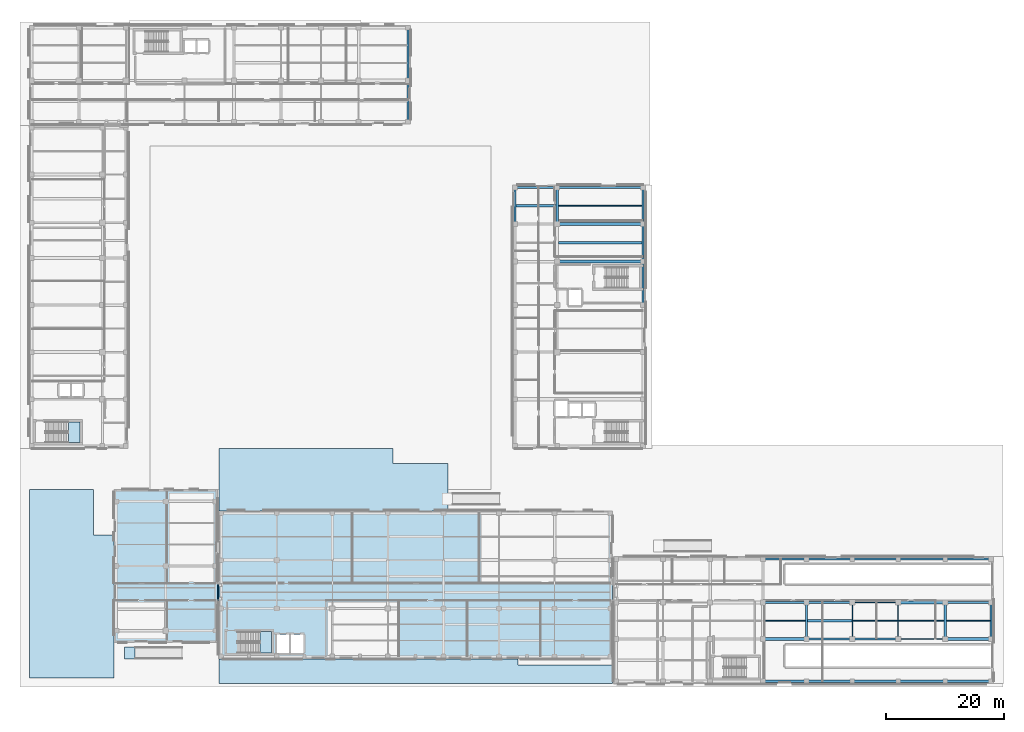
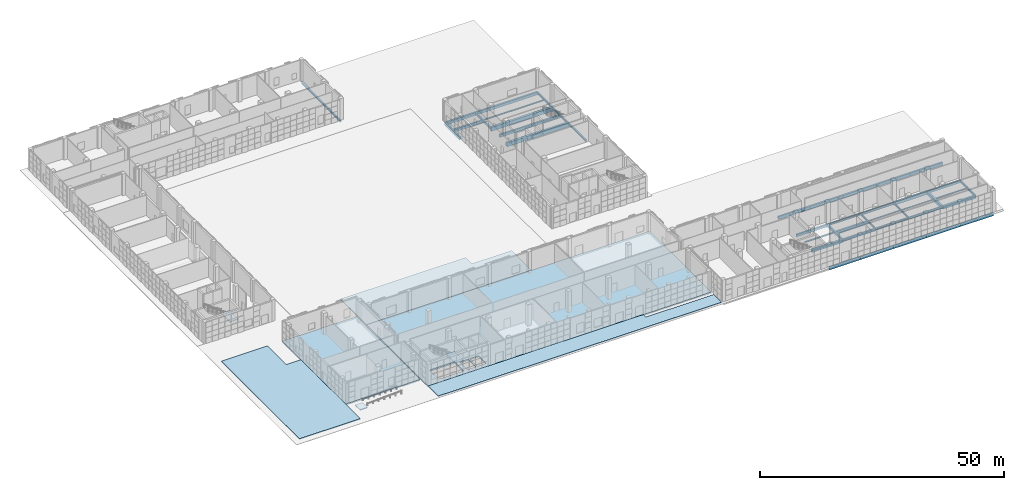
# One storey, part 6 of 40: 44 beams, 9 slabs, 3 elements without a shape of their own.
"""IFC4 building model written with IfcOpenShell, lengths in metres."""

from ifc_helpers import new_model, si_unit, direction, frame, origin, origin_2d, place, context, subcontext, project, spatial, polyline, rectangle, i_section, outline, extrude, material, layer, layer_set, material_profile, profile_set, type_object, element, aggregate, save


model = new_model("IFC4")

# Units and contexts
model_context = context("Model", 3, precision=1e-05, world=origin(), true_north=direction((0.0, 1.0)))
body_context = subcontext(model_context, "Body", "Model", "MODEL_VIEW")
ifc_project = project(units=[si_unit("LENGTHUNIT", "METRE"), si_unit("AREAUNIT", "SQUARE_METRE"), si_unit("VOLUMEUNIT", "CUBIC_METRE"), si_unit("PLANEANGLEUNIT", "RADIAN"), si_unit("MASSUNIT", "GRAM", prefix="KILO")], contexts=[model_context])

# Site, building, storey
site_placement = place(None, origin())
site = spatial("IfcSite", under=ifc_project, at=site_placement, CompositionType="ELEMENT")
building_placement = place(site_placement, origin())
building = spatial("IfcBuilding", under=site, at=building_placement, Name="Qalavern Law Courts", CompositionType="ELEMENT")
storey_placement = place(building_placement, origin())
storey = spatial("IfcBuildingStorey", under=building, at=storey_placement, Name="L00", CompositionType="ELEMENT", Elevation=0.0)

# Beams
ifc_material_1 = material(Name="Steel S355", Category="steel")
ifc_material_profile_1 = material_profile(ifc_material_1, i_section(OverallWidth=0.300048828125, OverallDepth=0.489990234375, WebThickness=0.011962890625, FlangeThickness=0.02294921875, FilletRadius=0.027099609375, at=origin_2d()), Name="HEA 500")
ifc_profile_set_1 = profile_set([ifc_material_profile_1], Name="Steel S355")
beam_type_1 = type_object("IfcBeamType", Name="STR-BM-HEA500", PredefinedType="BEAM", material=ifc_profile_set_1)
for number, where, z_axis, x_axis, name in (
    (1, (142.0, 8.60009765625, -0.5849609375), (1.0, 0.0, 0.0), (0.0, 1.0, 0.0), "V6 X-beam 2-6 L00"),
    (2, (134.199951171875, 14.800048828125, -0.5849609375), (1.0, 0.0, 0.0), (0.0, 1.0, 0.0), "V6 X-beam 3-5 L00"),
):
    element("IfcBeam", number, at=place(storey_placement, frame(where, z_axis=z_axis, x_axis=x_axis)), inside=storey, type_object=beam_type_1, Name=name, PredefinedType="BEAM", context=body_context, shape_type="SweptSolid", body=[
        extrude(i_section(OverallWidth=0.300048828125, OverallDepth=0.489990234375, WebThickness=0.011962890625, FlangeThickness=0.02294921875, FilletRadius=0.027099609375, at=origin_2d()), origin(), (0.0, 0.0, 1.0), 7.800048828125),
    ])
ifc_material_profile_2 = material_profile(ifc_material_1, i_section(OverallWidth=0.179931640625, OverallDepth=0.39990234375, WebThickness=0.008544921875, FlangeThickness=0.013427734375, FilletRadius=0.02099609375, at=origin_2d()), Name="IPE 400")
ifc_profile_set_2 = profile_set([ifc_material_profile_2], Name="Steel S355")
beam_type_2 = type_object("IfcBeamType", Name="STR-BM-IPE400", PredefinedType="BEAM", material=ifc_profile_set_2)
beam_1_placement = place(storey_placement, frame((149.800048828125, 8.60009765625, -0.5400390625), z_axis=(0.0, 1.0, 0.0), x_axis=(-1.0, 0.0, 0.0)))
element("IfcBeam", 3, at=beam_1_placement, inside=storey, type_object=beam_type_2, Name="V6 Y-beam 7-2 L00", PredefinedType="BEAM", context=body_context, shape_type="SweptSolid", body=[
    extrude(i_section(OverallWidth=0.179931640625, OverallDepth=0.39990234375, WebThickness=0.008544921875, FlangeThickness=0.013427734375, FilletRadius=0.02099609375, at=origin_2d()), origin(), (0.0, 0.0, 1.0), 6.199951171875),
])
ifc_material_profile_3 = material_profile(ifc_material_1, i_section(OverallWidth=0.199951171875, OverallDepth=0.5, WebThickness=0.01025390625, FlangeThickness=0.01611328125, FilletRadius=0.02099609375, at=origin_2d()), Name="IPE 500")
ifc_profile_set_3 = profile_set([ifc_material_profile_3], Name="Steel S355")
beam_type_3 = type_object("IfcBeamType", Name="STR-BM-IPE500", PredefinedType="BEAM", material=ifc_profile_set_3)
beam_2_placement = place(storey_placement, frame((142.0, 8.60009765625, -0.590087890625), z_axis=(0.0, 1.0, 0.0), x_axis=(-1.0, 0.0, 0.0)))
element("IfcBeam", 4, at=beam_2_placement, inside=storey, type_object=beam_type_3, Name="V6 Y-beam 6-2 L00", PredefinedType="BEAM", context=body_context, shape_type="SweptSolid", body=[
    extrude(i_section(OverallWidth=0.199951171875, OverallDepth=0.5, WebThickness=0.01025390625, FlangeThickness=0.01611328125, FilletRadius=0.02099609375, at=origin_2d()), origin(), (0.0, 0.0, 1.0), 6.199951171875),
])
ifc_material_profile_4 = material_profile(ifc_material_1, i_section(OverallWidth=0.219970703125, OverallDepth=0.60009765625, WebThickness=0.011962890625, FlangeThickness=0.01904296875, FilletRadius=0.02392578125, at=origin_2d()), Name="IPE 600")
ifc_profile_set_4 = profile_set([ifc_material_profile_4], Name="Steel S355")
beam_type_4 = type_object("IfcBeamType", Name="STR-BM-IPE600", PredefinedType="BEAM", material=ifc_profile_set_4)
beam_3_placement = place(storey_placement, frame((149.800048828125, 8.60009765625, -0.639892578125), z_axis=(1.0, 0.0, 0.0), x_axis=(0.0, 1.0, 0.0)))
element("IfcBeam", 5, at=beam_3_placement, inside=storey, type_object=beam_type_4, Name="V6 X-beam 2-7 L00", PredefinedType="BEAM", context=body_context, shape_type="SweptSolid", body=[
    extrude(i_section(OverallWidth=0.219970703125, OverallDepth=0.60009765625, WebThickness=0.011962890625, FlangeThickness=0.01904296875, FilletRadius=0.02392578125, at=origin_2d()), origin(), (0.0, 0.0, 1.0), 8.0),
])
beam_4_placement = place(storey_placement, frame((142.0, 14.800048828125, -0.639892578125), z_axis=(1.0, 0.0, 0.0), x_axis=(0.0, 1.0, 0.0)))
element("IfcBeam", 6, at=beam_4_placement, inside=storey, type_object=beam_type_4, Name="V6 X-beam 3-6 L00", PredefinedType="BEAM", context=body_context, shape_type="SweptSolid", body=[
    extrude(i_section(OverallWidth=0.219970703125, OverallDepth=0.60009765625, WebThickness=0.011962890625, FlangeThickness=0.01904296875, FilletRadius=0.02392578125, at=origin_2d()), origin(), (0.0, 0.0, 1.0), 7.800048828125),
])
ifc_material_2 = material(Name="Concrete C35/45", Category="concrete")
ifc_material_profile_5 = material_profile(ifc_material_2, rectangle(XDim=0.35009765625, YDim=0.550048828125, at=origin_2d()), Name="RC 350x550")
ifc_profile_set_5 = profile_set([ifc_material_profile_5], Name="Concrete C35/45")
beam_type_5 = type_object("IfcBeamType", Name="STR-BM-RC350x550", PredefinedType="BEAM", material=ifc_profile_set_5)
for number, where, z_axis, x_axis, name in (
    (7, (91.800048828125, 79.199951171875, -0.614990234375), (0.0, 1.0, 0.0), (-1.0, 0.0, 0.0), "V4 Y-beam 2-5 L00"),
    (8, (134.199951171875, 8.60009765625, -0.614990234375), (0.0, 1.0, 0.0), (-1.0, 0.0, 0.0), "V6 Y-beam 5-2 L00"),
):
    element("IfcBeam", number, at=place(storey_placement, frame(where, z_axis=z_axis, x_axis=x_axis)), inside=storey, type_object=beam_type_5, Name=name, PredefinedType="BEAM", context=body_context, shape_type="SweptSolid", body=[
        extrude(rectangle(XDim=0.35009765625, YDim=0.550048828125, at=origin_2d()), origin(), (0.0, 0.0, 1.0), 6.199951171875),
    ])
ifc_material_profile_6 = material_profile(ifc_material_2, rectangle(XDim=0.35009765625, YDim=0.60009765625, at=origin_2d()), Name="RC 350x600")
ifc_profile_set_6 = profile_set([ifc_material_profile_6], Name="Concrete C35/45")
beam_type_6 = type_object("IfcBeamType", Name="STR-BM-RC350x600", PredefinedType="BEAM", material=ifc_profile_set_6)
beam_5_placement = place(storey_placement, frame((134.199951171875, 8.60009765625, -0.639892578125), z_axis=(1.0, 0.0, 0.0), x_axis=(0.0, 1.0, 0.0)))
element("IfcBeam", 9, at=beam_5_placement, inside=storey, type_object=beam_type_6, Name="V6 X-beam 2-5 L00", PredefinedType="BEAM", context=body_context, shape_type="SweptSolid", body=[
    extrude(rectangle(XDim=0.35009765625, YDim=0.60009765625, at=origin_2d()), origin(), (0.0, 0.0, 1.0), 7.800048828125),
])
beam_6_placement = place(storey_placement, frame((126.800048828125, 14.800048828125, -0.639892578125), z_axis=(1.0, 0.0, 0.0), x_axis=(0.0, 1.0, 0.0)))
element("IfcBeam", 10, at=beam_6_placement, inside=storey, type_object=beam_type_6, Name="V6 X-beam 3-4 L00", PredefinedType="BEAM", context=body_context, shape_type="SweptSolid", body=[
    extrude(rectangle(XDim=0.35009765625, YDim=0.60009765625, at=origin_2d()), origin(), (0.0, 0.0, 1.0), 7.39990234375),
])
beam_7_placement = place(storey_placement, frame((157.800048828125, 14.800048828125, -0.639892578125), z_axis=(1.0, 0.0, 0.0), x_axis=(0.0, 1.0, 0.0)))
element("IfcBeam", 11, at=beam_7_placement, inside=storey, type_object=beam_type_6, Name="V6 X-beam 3-8 L00", PredefinedType="BEAM", context=body_context, shape_type="SweptSolid", body=[
    extrude(rectangle(XDim=0.35009765625, YDim=0.60009765625, at=origin_2d()), origin(), (0.0, 0.0, 1.0), 7.800048828125),
])
ifc_material_3 = material(Name="Concrete C40/50", Category="concrete")
ifc_material_profile_7 = material_profile(ifc_material_3, rectangle(XDim=0.449951171875, YDim=0.75, at=origin_2d()), Name="RC 450x750")
ifc_profile_set_7 = profile_set([ifc_material_profile_7], Name="Concrete C40/50")
beam_type_7 = type_object("IfcBeamType", Name="STR-BM-RC450x750", PredefinedType="BEAM", material=ifc_profile_set_7)
beam_8_placement = place(storey_placement, frame((126.800048828125, 8.60009765625, -0.715087890625), z_axis=(1.0, 0.0, 0.0), x_axis=(0.0, 1.0, 0.0)))
element("IfcBeam", 12, at=beam_8_placement, inside=storey, type_object=beam_type_7, Name="V6 X-beam 2-4 L00", PredefinedType="BEAM", context=body_context, shape_type="SweptSolid", body=[
    extrude(rectangle(XDim=0.449951171875, YDim=0.75, at=origin_2d()), origin(), (0.0, 0.0, 1.0), 7.39990234375),
])
beam_9_placement = place(storey_placement, frame((157.800048828125, 8.60009765625, -0.715087890625), z_axis=(1.0, 0.0, 0.0), x_axis=(0.0, 1.0, 0.0)))
element("IfcBeam", 13, at=beam_9_placement, inside=storey, type_object=beam_type_7, Name="V6 X-beam 2-8 L00", PredefinedType="BEAM", context=body_context, shape_type="SweptSolid", body=[
    extrude(rectangle(XDim=0.449951171875, YDim=0.75, at=origin_2d()), origin(), (0.0, 0.0, 1.0), 7.800048828125),
])
beam_10_placement = place(storey_placement, frame((149.800048828125, 14.800048828125, -0.715087890625), z_axis=(1.0, 0.0, 0.0), x_axis=(0.0, 1.0, 0.0)))
element("IfcBeam", 14, at=beam_10_placement, inside=storey, type_object=beam_type_7, Name="V6 X-beam 3-7 L00", PredefinedType="BEAM", context=body_context, shape_type="SweptSolid", body=[
    extrude(rectangle(XDim=0.449951171875, YDim=0.75, at=origin_2d()), origin(), (0.0, 0.0, 1.0), 8.0),
])
beam_11_placement = place(storey_placement, frame((157.800048828125, 8.60009765625, -0.715087890625), z_axis=(0.0, 1.0, 0.0), x_axis=(-1.0, 0.0, 0.0)))
element("IfcBeam", 15, at=beam_11_placement, inside=storey, type_object=beam_type_7, Name="V6 Y-beam 8-2 L00", PredefinedType="BEAM", context=body_context, shape_type="SweptSolid", body=[
    extrude(rectangle(XDim=0.449951171875, YDim=0.75, at=origin_2d()), origin(), (0.0, 0.0, 1.0), 6.199951171875),
])
ifc_material_profile_8 = material_profile(ifc_material_3, rectangle(XDim=0.550048828125, YDim=0.949951171875, at=origin_2d()), Name="RC 550x950")
ifc_profile_set_8 = profile_set([ifc_material_profile_8], Name="Concrete C40/50")
beam_type_8 = type_object("IfcBeamType", Name="STR-BM-RC550x950", PredefinedType="BEAM", material=ifc_profile_set_8)
for number, where, z_axis, x_axis, name in (
    (16, (91.800048828125, 72.800048828125, -0.81494140625), (1.0, 0.0, 0.0), (0.0, 1.0, 0.0), "V4 X-beam 5-2 L00"),
    (17, (91.800048828125, 79.199951171875, -0.81494140625), (1.0, 0.0, 0.0), (0.0, 1.0, 0.0), "V4 X-beam 6-2 L00"),
):
    element("IfcBeam", number, at=place(storey_placement, frame(where, z_axis=z_axis, x_axis=x_axis)), inside=storey, type_object=beam_type_8, Name=name, PredefinedType="BEAM", context=body_context, shape_type="SweptSolid", body=[
        extrude(rectangle(XDim=0.550048828125, YDim=0.949951171875, at=origin_2d()), origin(), (0.0, 0.0, 1.0), 14.599853515625),
    ])
ifc_material_profile_9 = material_profile(ifc_material_1, i_section(OverallWidth=0.135009765625, OverallDepth=0.27001953125, WebThickness=0.006591796875, FlangeThickness=0.01025390625, FilletRadius=0.014892578125, at=origin_2d()), Name="IPE 270")
ifc_profile_set_9 = profile_set([ifc_material_profile_9], Name="Steel S355")
beam_type_9 = type_object("IfcBeamType", Name="STR-JST-IPE270", PredefinedType="JOIST", material=ifc_profile_set_9)
beam_12_placement = place(storey_placement, frame((158.02294921875, 11.699951171875, -0.47509765625), z_axis=(1.0, 0.0, 0.0), x_axis=(0.0, 1.0, 0.0)))
element("IfcBeam", 18, at=beam_12_placement, inside=storey, type_object=beam_type_9, Name="V6 secondary joist 8.2.1 L00", PredefinedType="JOIST", context=body_context, shape_type="SweptSolid", body=[
    extrude(i_section(OverallWidth=0.135009765625, OverallDepth=0.27001953125, WebThickness=0.006591796875, FlangeThickness=0.01025390625, FilletRadius=0.014892578125, at=origin_2d()), origin(), (0.0, 0.0, 1.0), 7.428955078125),
])
ifc_material_profile_10 = material_profile(ifc_material_1, i_section(OverallWidth=0.14990234375, OverallDepth=0.300048828125, WebThickness=0.007080078125, FlangeThickness=0.0107421875, FilletRadius=0.014892578125, at=origin_2d()), Name="IPE 300")
ifc_profile_set_10 = profile_set([ifc_material_profile_10], Name="Steel S355")
beam_type_10 = type_object("IfcBeamType", Name="STR-JST-IPE300", PredefinedType="JOIST", material=ifc_profile_set_10)
beam_13_placement = place(storey_placement, frame((149.887939453125, 11.699951171875, -0.489990234375), z_axis=(1.0, 0.0, 0.0), x_axis=(0.0, 1.0, 0.0)))
element("IfcBeam", 19, at=beam_13_placement, inside=storey, type_object=beam_type_10, Name="V6 secondary joist 7.2.1 L00", PredefinedType="JOIST", context=body_context, shape_type="SweptSolid", body=[
    extrude(i_section(OverallWidth=0.14990234375, OverallDepth=0.300048828125, WebThickness=0.007080078125, FlangeThickness=0.0107421875, FilletRadius=0.014892578125, at=origin_2d()), origin(), (0.0, 0.0, 1.0), 7.68896484375),
])
ifc_material_profile_11 = material_profile(ifc_material_1, i_section(OverallWidth=0.159912109375, OverallDepth=0.330078125, WebThickness=0.007568359375, FlangeThickness=0.011474609375, FilletRadius=0.01806640625, at=origin_2d()), Name="IPE 330")
ifc_profile_set_11 = profile_set([ifc_material_profile_11], Name="Steel S355")
beam_type_11 = type_object("IfcBeamType", Name="STR-JST-IPE330", PredefinedType="JOIST", material=ifc_profile_set_11)
beam_14_placement = place(storey_placement, frame((91.972900390625, 82.300048828125, -0.5048828125), z_axis=(1.0, 0.0, 0.0), x_axis=(0.0, 1.0, 0.0)))
element("IfcBeam", 20, at=beam_14_placement, inside=storey, type_object=beam_type_11, Name="V4 secondary joist 2.6.1 L00", PredefinedType="JOIST", context=body_context, shape_type="SweptSolid", body=[
    extrude(i_section(OverallWidth=0.159912109375, OverallDepth=0.330078125, WebThickness=0.007568359375, FlangeThickness=0.011474609375, FilletRadius=0.01806640625, at=origin_2d()), origin(), (0.0, 0.0, 1.0), 14.279052734375),
])
beam_15_placement = place(storey_placement, frame((142.097900390625, 11.699951171875, -0.5048828125), z_axis=(1.0, 0.0, 0.0), x_axis=(0.0, 1.0, 0.0)))
element("IfcBeam", 21, at=beam_15_placement, inside=storey, type_object=beam_type_11, Name="V6 secondary joist 6.2.1 L00", PredefinedType="JOIST", context=body_context, shape_type="SweptSolid", body=[
    extrude(i_section(OverallWidth=0.159912109375, OverallDepth=0.330078125, WebThickness=0.007568359375, FlangeThickness=0.011474609375, FilletRadius=0.01806640625, at=origin_2d()), origin(), (0.0, 0.0, 1.0), 7.614013671875),
])
ifc_material_profile_12 = material_profile(ifc_material_1, i_section(OverallWidth=0.169921875, OverallDepth=0.360107421875, WebThickness=0.008056640625, FlangeThickness=0.0126953125, FilletRadius=0.01806640625, at=origin_2d()), Name="IPE 360")
ifc_profile_set_12 = profile_set([ifc_material_profile_12], Name="Steel S355")
beam_type_12 = type_object("IfcBeamType", Name="STR-JST-IPE360", PredefinedType="JOIST", material=ifc_profile_set_12)
beam_16_placement = place(storey_placement, frame((127.02294921875, 11.699951171875, -0.52001953125), z_axis=(1.0, 0.0, 0.0), x_axis=(0.0, 1.0, 0.0)))
element("IfcBeam", 22, at=beam_16_placement, inside=storey, type_object=beam_type_12, Name="V6 secondary joist 4.2.1 L00", PredefinedType="JOIST", context=body_context, shape_type="SweptSolid", body=[
    extrude(i_section(OverallWidth=0.169921875, OverallDepth=0.360107421875, WebThickness=0.008056640625, FlangeThickness=0.0126953125, FilletRadius=0.01806640625, at=origin_2d()), origin(), (0.0, 0.0, 1.0), 7.004150390625),
])
ifc_material_profile_13 = material_profile(ifc_material_2, rectangle(XDim=0.39990234375, YDim=0.64990234375, at=origin_2d()), Name="RC 400x650")
ifc_profile_set_13 = profile_set([ifc_material_profile_13], Name="Concrete C35/45")
beam_type_13 = type_object("IfcBeamType", Name="STR-JST-RC400x650", PredefinedType="JOIST", material=ifc_profile_set_13)
beam_17_placement = place(storey_placement, frame((84.798095703125, 82.300048828125, -0.6650390625), z_axis=(1.0, 0.0, 0.0), x_axis=(0.0, 1.0, 0.0)))
element("IfcBeam", 23, at=beam_17_placement, inside=storey, type_object=beam_type_13, Name="V4 secondary joist 1.6.1 L00", PredefinedType="JOIST", context=body_context, shape_type="SweptSolid", body=[
    extrude(rectangle(XDim=0.39990234375, YDim=0.64990234375, at=origin_2d()), origin(), (0.0, 0.0, 1.0), 6.828857421875),
])
beam_18_placement = place(storey_placement, frame((92.02294921875, 76.0, -0.6650390625), z_axis=(1.0, 0.0, 0.0), x_axis=(0.0, 1.0, 0.0)))
element("IfcBeam", 24, at=beam_18_placement, inside=storey, type_object=beam_type_13, Name="V4 secondary joist 2.5.1 L00", PredefinedType="JOIST", context=body_context, shape_type="SweptSolid", body=[
    extrude(rectangle(XDim=0.39990234375, YDim=0.64990234375, at=origin_2d()), origin(), (0.0, 0.0, 1.0), 14.22900390625),
])
beam_19_placement = place(storey_placement, frame((134.373046875, 11.699951171875, -0.6650390625), z_axis=(1.0, 0.0, 0.0), x_axis=(0.0, 1.0, 0.0)))
element("IfcBeam", 25, at=beam_19_placement, inside=storey, type_object=beam_type_13, Name="V6 secondary joist 5.2.1 L00", PredefinedType="JOIST", context=body_context, shape_type="SweptSolid", body=[
    extrude(rectangle(XDim=0.39990234375, YDim=0.64990234375, at=origin_2d()), origin(), (0.0, 0.0, 1.0), 7.529052734375),
])
ifc_material_profile_14 = material_profile(ifc_material_1, i_section(OverallWidth=0.300048828125, OverallDepth=0.449951171875, WebThickness=0.013916015625, FlangeThickness=0.02587890625, FilletRadius=0.027099609375, at=origin_2d()), Name="HEB 450")
ifc_profile_set_14 = profile_set([ifc_material_profile_14], Name="Steel S355")
beam_type_14 = type_object("IfcBeamType", Name="STR-SP-HEB450", PredefinedType="SPANDREL", material=ifc_profile_set_14)
beam_20_placement = place(storey_placement, frame((106.39990234375, 65.39990234375, -0.56494140625), z_axis=(0.0, 1.0, 0.0), x_axis=(-1.0, 0.0, 0.0)))
element("IfcBeam", 26, at=beam_20_placement, inside=storey, type_object=beam_type_14, Name="V4 Y-beam 3-4 L00", PredefinedType="SPANDREL", context=body_context, shape_type="SweptSolid", body=[
    extrude(i_section(OverallWidth=0.300048828125, OverallDepth=0.449951171875, WebThickness=0.013916015625, FlangeThickness=0.02587890625, FilletRadius=0.027099609375, at=origin_2d()), origin(), (0.0, 0.0, 1.0), 7.400146484375),
])
beam_21_placement = place(storey_placement, frame((106.39990234375, 72.800048828125, -0.56494140625), z_axis=(0.0, 1.0, 0.0), x_axis=(-1.0, 0.0, 0.0)))
element("IfcBeam", 27, at=beam_21_placement, inside=storey, type_object=beam_type_14, Name="V4 Y-beam 3-5 L00", PredefinedType="SPANDREL", context=body_context, shape_type="SweptSolid", body=[
    extrude(i_section(OverallWidth=0.300048828125, OverallDepth=0.449951171875, WebThickness=0.013916015625, FlangeThickness=0.02587890625, FilletRadius=0.027099609375, at=origin_2d()), origin(), (0.0, 0.0, 1.0), 6.39990234375),
])
beam_22_placement = place(storey_placement, frame((106.39990234375, 79.199951171875, -0.56494140625), z_axis=(0.0, 1.0, 0.0), x_axis=(-1.0, 0.0, 0.0)))
element("IfcBeam", 28, at=beam_22_placement, inside=storey, type_object=beam_type_14, Name="V4 Y-beam 3-6 L00", PredefinedType="SPANDREL", context=body_context, shape_type="SweptSolid", body=[
    extrude(i_section(OverallWidth=0.300048828125, OverallDepth=0.449951171875, WebThickness=0.013916015625, FlangeThickness=0.02587890625, FilletRadius=0.027099609375, at=origin_2d()), origin(), (0.0, 0.0, 1.0), 6.199951171875),
])
beam_23_placement = place(storey_placement, frame((66.39990234375, 96.60009765625, -0.56494140625), z_axis=(0.0, 1.0, 0.0), x_axis=(-1.0, 0.0, 0.0)))
element("IfcBeam", 29, at=beam_23_placement, inside=storey, type_object=beam_type_14, Name="V5 Y-beam 9-1 L00", PredefinedType="SPANDREL", context=body_context, shape_type="SweptSolid", body=[
    extrude(i_section(OverallWidth=0.300048828125, OverallDepth=0.449951171875, WebThickness=0.013916015625, FlangeThickness=0.02587890625, FilletRadius=0.027099609375, at=origin_2d()), origin(), (0.0, 0.0, 1.0), 7.0),
])
beam_24_placement = place(storey_placement, frame((66.39990234375, 103.60009765625, -0.56494140625), z_axis=(0.0, 1.0, 0.0), x_axis=(-1.0, 0.0, 0.0)))
element("IfcBeam", 30, at=beam_24_placement, inside=storey, type_object=beam_type_14, Name="V5 Y-beam 9-2 L00", PredefinedType="SPANDREL", context=body_context, shape_type="SweptSolid", body=[
    extrude(i_section(OverallWidth=0.300048828125, OverallDepth=0.449951171875, WebThickness=0.013916015625, FlangeThickness=0.02587890625, FilletRadius=0.027099609375, at=origin_2d()), origin(), (0.0, 0.0, 1.0), 9.0),
])
beam_25_placement = place(storey_placement, frame((165.60009765625, 8.60009765625, -0.56494140625), z_axis=(0.0, 1.0, 0.0), x_axis=(-1.0, 0.0, 0.0)))
element("IfcBeam", 31, at=beam_25_placement, inside=storey, type_object=beam_type_14, Name="V6 Y-beam 9-2 L00", PredefinedType="SPANDREL", context=body_context, shape_type="SweptSolid", body=[
    extrude(i_section(OverallWidth=0.300048828125, OverallDepth=0.449951171875, WebThickness=0.013916015625, FlangeThickness=0.02587890625, FilletRadius=0.027099609375, at=origin_2d()), origin(), (0.0, 0.0, 1.0), 6.199951171875),
])
ifc_material_profile_15 = material_profile(ifc_material_3, rectangle(XDim=0.39990234375, YDim=0.699951171875, at=origin_2d()), Name="RC 400x700")
ifc_profile_set_15 = profile_set([ifc_material_profile_15], Name="Concrete C40/50")
beam_type_15 = type_object("IfcBeamType", Name="STR-SP-RC400x700", PredefinedType="SPANDREL", material=ifc_profile_set_15)
beam_26_placement = place(storey_placement, frame((84.60009765625, 85.39990234375, -0.68994140625), z_axis=(1.0, 0.0, 0.0), x_axis=(0.0, 1.0, 0.0)))
element("IfcBeam", 32, at=beam_26_placement, inside=storey, type_object=beam_type_15, Name="V4 X-beam 7-1 L00", PredefinedType="SPANDREL", context=body_context, shape_type="SweptSolid", body=[
    extrude(rectangle(XDim=0.39990234375, YDim=0.699951171875, at=origin_2d()), origin(), (0.0, 0.0, 1.0), 7.199951171875),
])
beam_27_placement = place(storey_placement, frame((91.800048828125, 85.39990234375, -0.68994140625), z_axis=(1.0, 0.0, 0.0), x_axis=(0.0, 1.0, 0.0)))
element("IfcBeam", 33, at=beam_27_placement, inside=storey, type_object=beam_type_15, Name="V4 X-beam 7-2 L00", PredefinedType="SPANDREL", context=body_context, shape_type="SweptSolid", body=[
    extrude(rectangle(XDim=0.39990234375, YDim=0.699951171875, at=origin_2d()), origin(), (0.0, 0.0, 1.0), 14.599853515625),
])
beam_28_placement = place(storey_placement, frame((84.60009765625, 79.199951171875, -0.68994140625), z_axis=(0.0, 1.0, 0.0), x_axis=(-1.0, 0.0, 0.0)))
element("IfcBeam", 34, at=beam_28_placement, inside=storey, type_object=beam_type_15, Name="V4 Y-beam 1-6 L00", PredefinedType="SPANDREL", context=body_context, shape_type="SweptSolid", body=[
    extrude(rectangle(XDim=0.39990234375, YDim=0.699951171875, at=origin_2d()), origin(), (0.0, 0.0, 1.0), 6.199951171875),
])
beam_29_placement = place(storey_placement, frame((126.800048828125, 1.39990234375, -0.68994140625), z_axis=(1.0, 0.0, 0.0), x_axis=(0.0, 1.0, 0.0)))
element("IfcBeam", 35, at=beam_29_placement, inside=storey, type_object=beam_type_15, Name="V6 X-beam 1-4 L00", PredefinedType="SPANDREL", context=body_context, shape_type="SweptSolid", body=[
    extrude(rectangle(XDim=0.39990234375, YDim=0.699951171875, at=origin_2d()), origin(), (0.0, 0.0, 1.0), 7.39990234375),
])
for number, where, z_axis, x_axis, name in (
    (36, (134.199951171875, 1.39990234375, -0.68994140625), (1.0, 0.0, 0.0), (0.0, 1.0, 0.0), "V6 X-beam 1-5 L00"),
    (37, (142.0, 1.39990234375, -0.68994140625), (1.0, 0.0, 0.0), (0.0, 1.0, 0.0), "V6 X-beam 1-6 L00"),
):
    element("IfcBeam", number, at=place(storey_placement, frame(where, z_axis=z_axis, x_axis=x_axis)), inside=storey, type_object=beam_type_15, Name=name, PredefinedType="SPANDREL", context=body_context, shape_type="SweptSolid", body=[
        extrude(rectangle(XDim=0.39990234375, YDim=0.699951171875, at=origin_2d()), origin(), (0.0, 0.0, 1.0), 7.800048828125),
    ])
beam_30_placement = place(storey_placement, frame((149.800048828125, 1.39990234375, -0.68994140625), z_axis=(1.0, 0.0, 0.0), x_axis=(0.0, 1.0, 0.0)))
element("IfcBeam", 38, at=beam_30_placement, inside=storey, type_object=beam_type_15, Name="V6 X-beam 1-7 L00", PredefinedType="SPANDREL", context=body_context, shape_type="SweptSolid", body=[
    extrude(rectangle(XDim=0.39990234375, YDim=0.699951171875, at=origin_2d()), origin(), (0.0, 0.0, 1.0), 8.0),
])
beam_31_placement = place(storey_placement, frame((157.800048828125, 1.39990234375, -0.68994140625), z_axis=(1.0, 0.0, 0.0), x_axis=(0.0, 1.0, 0.0)))
element("IfcBeam", 39, at=beam_31_placement, inside=storey, type_object=beam_type_15, Name="V6 X-beam 1-8 L00", PredefinedType="SPANDREL", context=body_context, shape_type="SweptSolid", body=[
    extrude(rectangle(XDim=0.39990234375, YDim=0.699951171875, at=origin_2d()), origin(), (0.0, 0.0, 1.0), 7.800048828125),
])
beam_32_placement = place(storey_placement, frame((126.800048828125, 22.199951171875, -0.68994140625), z_axis=(1.0, 0.0, 0.0), x_axis=(0.0, 1.0, 0.0)))
element("IfcBeam", 40, at=beam_32_placement, inside=storey, type_object=beam_type_15, Name="V6 X-beam 4-4 L00", PredefinedType="SPANDREL", context=body_context, shape_type="SweptSolid", body=[
    extrude(rectangle(XDim=0.39990234375, YDim=0.699951171875, at=origin_2d()), origin(), (0.0, 0.0, 1.0), 7.39990234375),
])
for number, where, z_axis, x_axis, name in (
    (41, (134.199951171875, 22.199951171875, -0.68994140625), (1.0, 0.0, 0.0), (0.0, 1.0, 0.0), "V6 X-beam 4-5 L00"),
    (42, (142.0, 22.199951171875, -0.68994140625), (1.0, 0.0, 0.0), (0.0, 1.0, 0.0), "V6 X-beam 4-6 L00"),
):
    element("IfcBeam", number, at=place(storey_placement, frame(where, z_axis=z_axis, x_axis=x_axis)), inside=storey, type_object=beam_type_15, Name=name, PredefinedType="SPANDREL", context=body_context, shape_type="SweptSolid", body=[
        extrude(rectangle(XDim=0.39990234375, YDim=0.699951171875, at=origin_2d()), origin(), (0.0, 0.0, 1.0), 7.800048828125),
    ])
beam_33_placement = place(storey_placement, frame((149.800048828125, 22.199951171875, -0.68994140625), z_axis=(1.0, 0.0, 0.0), x_axis=(0.0, 1.0, 0.0)))
element("IfcBeam", 43, at=beam_33_placement, inside=storey, type_object=beam_type_15, Name="V6 X-beam 4-7 L00", PredefinedType="SPANDREL", context=body_context, shape_type="SweptSolid", body=[
    extrude(rectangle(XDim=0.39990234375, YDim=0.699951171875, at=origin_2d()), origin(), (0.0, 0.0, 1.0), 8.0),
])
beam_34_placement = place(storey_placement, frame((157.800048828125, 22.199951171875, -0.68994140625), z_axis=(1.0, 0.0, 0.0), x_axis=(0.0, 1.0, 0.0)))
element("IfcBeam", 44, at=beam_34_placement, inside=storey, type_object=beam_type_15, Name="V6 X-beam 4-8 L00", PredefinedType="SPANDREL", context=body_context, shape_type="SweptSolid", body=[
    extrude(rectangle(XDim=0.39990234375, YDim=0.699951171875, at=origin_2d()), origin(), (0.0, 0.0, 1.0), 7.800048828125),
])

# Slabs
ifc_layer_1 = layer(ifc_material_2, 0.205078125)
ifc_layer_set_1 = layer_set([ifc_layer_1], Name="Concrete C35/45")
slab_type_1 = type_object("IfcSlabType", Name="ARCH-APRON-200", PredefinedType="FLOOR", material=ifc_layer_set_1)
slab_1_placement = place(storey_placement, frame((0.0, 0.0, -0.205078125)))
element("IfcSlab", 45, at=slab_1_placement, inside=storey, type_object=slab_type_1, Name="Southwest civic entrance plaza paving", PredefinedType="FLOOR", context=body_context, shape_type="SweptSolid", body=[
    extrude(outline(polyline([(2.0, 2.0), (16.39990234375, 2.0), (16.39990234375, 26.320068359375), (12.93994140625, 26.320068359375), (12.93994140625, 34.0), (2.0, 34.0), (2.0, 2.0)])), origin(), (0.0, 0.0, 1.0), 0.205078125),
])
slab_2_placement = place(storey_placement, frame((0.0, 0.0, -0.205078125)))
element("IfcSlab", 46, at=slab_2_placement, inside=storey, type_object=slab_type_1, Name="Public Hall south colonnade forecourt paving", PredefinedType="FLOOR", context=body_context, shape_type="SweptSolid", body=[
    extrude(outline(polyline([(34.219970703125, 1.0), (101.199951171875, 1.0), (101.199951171875, 4.18994140625), (85.1201171875, 4.18994140625), (85.1201171875, 5.199951171875), (34.219970703125, 5.199951171875), (34.219970703125, 1.0)])), origin(), (0.0, 0.0, 1.0), 0.205078125),
])
slab_3_placement = place(storey_placement, frame((0.0, 0.0, -0.205078125)))
element("IfcSlab", 47, at=slab_3_placement, inside=storey, type_object=slab_type_1, Name="Inner courtyard pedestrian terrace paving", PredefinedType="FLOOR", context=body_context, shape_type="SweptSolid", body=[
    extrude(outline(polyline([(34.219970703125, 30.39990234375), (73.199951171875, 30.39990234375), (73.199951171875, 38.469970703125), (63.840087890625, 38.469970703125), (63.840087890625, 41.02001953125), (34.219970703125, 41.02001953125), (34.219970703125, 30.39990234375)])), origin(), (0.0, 0.0, 1.0), 0.205078125),
])

# Stair, slab
stair_type_1 = type_object("IfcStairType", Name="INT-STAIR-1700", PredefinedType="HALF_TURN_STAIR", material=ifc_material_2)
stair_1_placement = place(storey_placement, origin())
stair_1 = element("IfcStair", 48, at=stair_1_placement, inside=storey, type_object=stair_type_1, Name="L00 ST-K2", PredefinedType="HALF_TURN_STAIR")
ifc_layer_2 = layer(ifc_material_2, 0.199951171875)
ifc_layer_set_2 = layer_set([ifc_layer_2], Name="Concrete C35/45")
slab_type_2 = type_object("IfcSlabType", Name="INT-LANDING-200", PredefinedType="LANDING", material=ifc_layer_set_2)
slab_4_placement = place(storey_placement, frame((0.0, 0.0, 2.5)))
slab_4 = element("IfcSlab", 49, at=slab_4_placement, type_object=slab_type_2, Name="ST-K2 landing 1", PredefinedType="LANDING", context=body_context, shape_type="SweptSolid", body=[
    extrude(outline(polyline([(8.6201171875, 42.0), (10.60009765625, 42.0), (10.60009765625, 45.550048828125), (8.6201171875, 45.550048828125), (8.6201171875, 42.0)])), origin(), (0.0, 0.0, 1.0), 0.199951171875),
])
aggregate(stair_1, [slab_4])

stair_type_2 = type_object("IfcStairType", Name="INT-STAIR-1750", PredefinedType="HALF_TURN_STAIR", material=ifc_material_2)
stair_2_placement = place(storey_placement, origin())
stair_2 = element("IfcStair", 50, at=stair_2_placement, inside=storey, type_object=stair_type_2, Name="L00 ST-K4", PredefinedType="HALF_TURN_STAIR")
slab_5_placement = place(storey_placement, frame((0.0, 0.0, 2.5)))
slab_5 = element("IfcSlab", 51, at=slab_5_placement, type_object=slab_type_2, Name="ST-K4 landing 1", PredefinedType="LANDING", context=body_context, shape_type="SweptSolid", body=[
    extrude(outline(polyline([(41.27001953125, 6.199951171875), (43.199951171875, 6.199951171875), (43.199951171875, 9.85009765625), (41.27001953125, 9.85009765625), (41.27001953125, 6.199951171875)])), origin(), (0.0, 0.0, 1.0), 0.199951171875),
])
aggregate(stair_2, [slab_5])

# Ramp, slab
ramp_type = type_object("IfcRampType", Name="INT-RAMP-PED", PredefinedType="STRAIGHT_RUN_RAMP", material=ifc_material_2)
ramp_placement = place(storey_placement, origin())
ramp = element("IfcRamp", 52, at=ramp_placement, inside=storey, type_object=ramp_type, Name="Southwest Plaza Accessible Pedestrian Ramp", PredefinedType="STRAIGHT_RUN_RAMP")
ifc_layer_3 = layer(ifc_material_2, 0.215087890625)
ifc_layer_set_3 = layer_set([ifc_layer_3], Name="Concrete C35/45")
slab_type_3 = type_object("IfcSlabType", Name="INT-LANDING-215", PredefinedType="LANDING", material=ifc_layer_set_3)
slab_6_placement = place(storey_placement, frame((0.0, 0.0, -0.56494140625)))
slab_6 = element("IfcSlab", 53, at=slab_6_placement, type_object=slab_type_3, Name="Southwest Plaza Accessible Pedestrian Ramp bottom landing", PredefinedType="LANDING", context=body_context, shape_type="SweptSolid", body=[
    extrude(outline(polyline([(18.199951171875, 5.199951171875), (20.0, 5.199951171875), (20.0, 7.199951171875), (18.199951171875, 7.199951171875), (18.199951171875, 5.199951171875)])), origin(), (0.0, 0.0, 1.0), 0.21484375),
])
aggregate(ramp, [slab_6])

# Slabs
ifc_layer_4 = layer(ifc_material_2, 0.340087890625)
ifc_layer_set_4 = layer_set([ifc_layer_4], Name="Concrete C35/45")
slab_type_4 = type_object("IfcSlabType", Name="STR-SLB-L00-340", PredefinedType="FLOOR", material=ifc_layer_set_4)
slab_7_placement = place(storey_placement, frame((0.0, 0.0, -0.340087890625)))
element("IfcSlab", 54, at=slab_7_placement, inside=storey, type_object=slab_type_4, Name="V1 floor slab L00", PredefinedType="FLOOR", context=body_context, shape_type="SweptSolid", body=[
    extrude(outline(polyline([(16.39990234375, 8.0), (34.0, 8.0), (34.0, 34.0), (16.39990234375, 34.0), (16.39990234375, 8.0)])), origin(), (0.0, 0.0, 1.0), 0.340087890625),
])
slab_8_placement = place(storey_placement, frame((0.0, 0.0, -0.340087890625)))
element("IfcSlab", 55, at=slab_8_placement, inside=storey, type_object=slab_type_4, Name="V2 floor slab L00", PredefinedType="FLOOR", context=body_context, shape_type="SweptSolid", body=[
    extrude(outline(polyline([(34.219970703125, 5.199951171875), (101.199951171875, 5.199951171875), (101.199951171875, 30.39990234375), (34.219970703125, 30.39990234375), (34.219970703125, 5.199951171875)]), holes=[polyline([(37.389892578125, 6.199951171875), (43.199951171875, 6.199951171875), (43.199951171875, 9.85009765625), (37.389892578125, 9.85009765625), (37.389892578125, 6.199951171875)]), polyline([(44.10009765625, 6.199951171875), (46.199951171875, 6.199951171875), (46.199951171875, 9.35009765625), (44.10009765625, 9.35009765625), (44.10009765625, 6.199951171875)]), polyline([(46.5, 6.199951171875), (48.60009765625, 6.199951171875), (48.60009765625, 9.35009765625), (46.5, 9.35009765625), (46.5, 6.199951171875)])]), origin(), (0.0, 0.0, 1.0), 0.340087890625),
])
slab_9_placement = place(storey_placement, frame((0.0, 0.0, -0.340087890625)))
element("IfcSlab", 56, at=slab_9_placement, inside=storey, type_object=slab_type_4, Name="Bridge BR-V1-V2 deck slab L00", PredefinedType="FLOOR", context=body_context, shape_type="SweptSolid", body=[
    extrude(outline(polyline([(34.0, 15.199951171875), (34.219970703125, 15.199951171875), (34.219970703125, 18.0), (34.0, 18.0), (34.0, 15.199951171875)])), origin(), (0.0, 0.0, 1.0), 0.340087890625),
])

save(model, "model.ifc")
